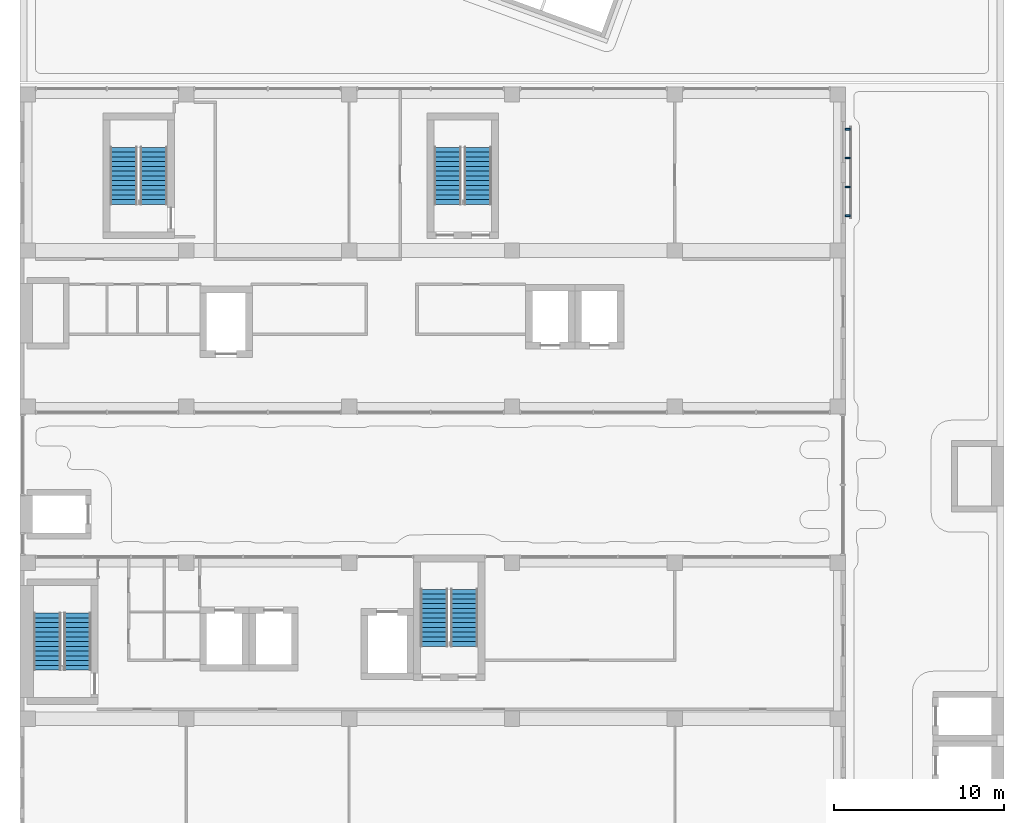
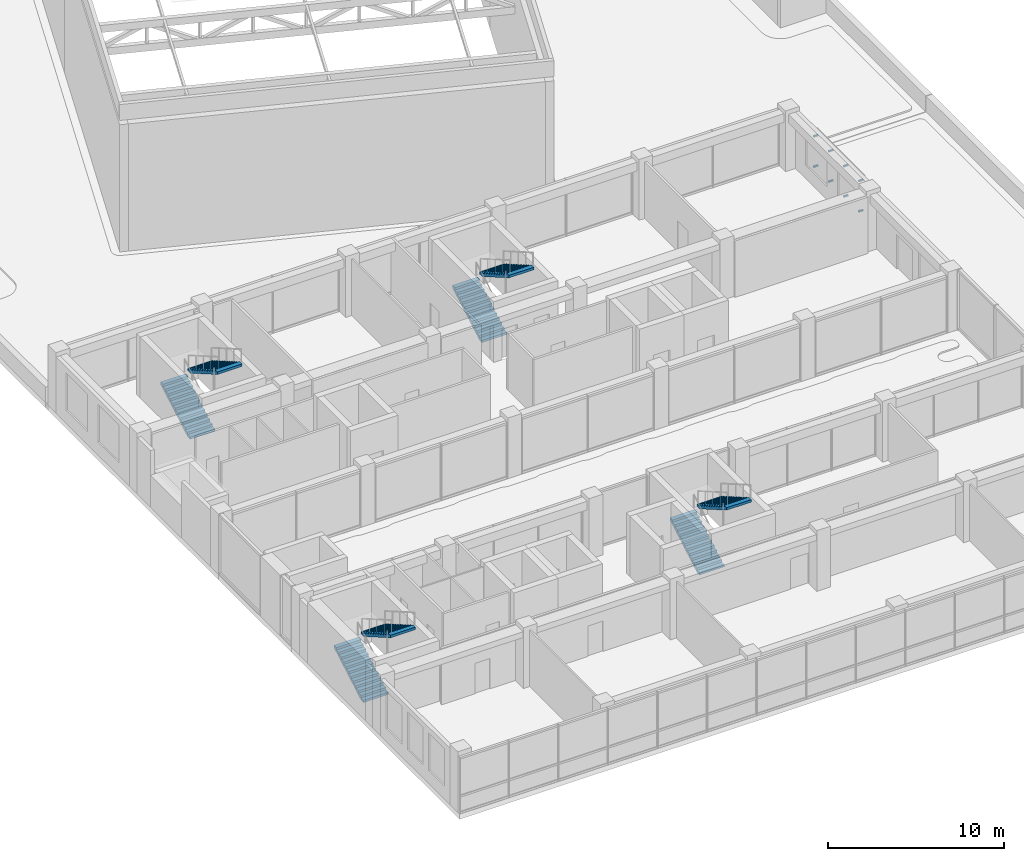
# One storey, part 65 of 72: 8 discrete accessories, 8 stair flights, 4 elements without a shape of their own.
"""IFC4 building model written with IfcOpenShell, lengths in metres."""

from ifc_helpers import new_model, si_unit, direction, frame, origin, origin_2d, place, context, subcontext, project, spatial, polyline, rectangle, outline, extrude, material, type_object, element, aggregate, save


model = new_model("IFC4")

# Units and contexts
model_context = context("Model", 3, precision=1e-05, world=origin(), true_north=direction((0.0, 1.0)))
body_context = subcontext(model_context, "Body", "Model", "MODEL_VIEW")
ifc_project = project(units=[si_unit("LENGTHUNIT", "METRE"), si_unit("AREAUNIT", "SQUARE_METRE"), si_unit("VOLUMEUNIT", "CUBIC_METRE"), si_unit("PLANEANGLEUNIT", "RADIAN"), si_unit("MASSUNIT", "GRAM", prefix="KILO")], contexts=[model_context])

# Site, building, storey
site_placement = place(None, origin())
site = spatial("IfcSite", under=ifc_project, at=site_placement, CompositionType="ELEMENT")
building_placement = place(site_placement, origin())
building = spatial("IfcBuilding", under=site, at=building_placement, Name="Nzadi Deep Aquarium and Research Tower", CompositionType="ELEMENT")
storey_placement = place(building_placement, frame((0.0, 0.0, 31.89990234375)))
storey = spatial("IfcBuildingStorey", under=building, at=storey_placement, Name="L05", CompositionType="ELEMENT", Elevation=31.89990234375)

# Stair, stair flights
ifc_material_1 = material(Name="Concrete C35/45", Category="concrete")
stair_type = type_object("IfcStairType", Name="STAIR RETURN 3000", PredefinedType="NOTDEFINED", material=ifc_material_1)
stair_1_placement = place(storey_placement, origin())
stair_1 = element("IfcStair", 1, at=stair_1_placement, inside=storey, type_object=stair_type, Name="Stair ST-Z1-SW L05", PredefinedType="HALF_TURN_STAIR")
ifc_material_2 = material(Name="Concrete C35/45", Category="concrete")
stair_flight_type = type_object("IfcStairFlightType", Name="FLIGHT 1625 13 RISERS 161.5 GOING 280", PredefinedType="STRAIGHT", material=ifc_material_2)
stair_flight_1_placement = place(storey_placement, frame((1.41259765625, 12.070068359375, 0.0), z_axis=(0.0, 0.0, 1.0), x_axis=(0.0, 1.0, 0.0)))
stair_flight_1 = element("IfcStairFlight", 2, at=stair_flight_1_placement, type_object=stair_flight_type, Name="ST-Z1-SW flight 1", NumberOfRisers=13, NumberOfTreads=12, PredefinedType="STRAIGHT", RiserHeight=0.161538462, TreadLength=0.28, context=body_context, shape_type="SweptSolid", body=[
    extrude(outline(polyline([(0.0, 0.0), (0.0, 0.16162109375), (0.280029296875, 0.16162109375), (0.280029296875, 0.322998046875), (0.56005859375, 0.322998046875), (0.56005859375, 0.484619140625), (0.840087890625, 0.484619140625), (0.840087890625, 0.646240234375), (1.1201171875, 0.646240234375), (1.1201171875, 0.8076171875), (1.39990234375, 0.8076171875), (1.39990234375, 0.96923828125), (1.679931640625, 0.96923828125), (1.679931640625, 1.130859375), (1.9599609375, 1.130859375), (1.9599609375, 1.292236328125), (2.239990234375, 1.292236328125), (2.239990234375, 1.453857421875), (2.52001953125, 1.453857421875), (2.52001953125, 1.615478515625), (2.800048828125, 1.615478515625), (2.800048828125, 1.77685546875), (3.080078125, 1.77685546875), (3.080078125, 1.9384765625), (3.360107421875, 1.9384765625), (3.360107421875, 2.10009765625), (3.360107421875, 1.765380859375), (0.300048828125, 0.0), (0.0, 0.0)])), frame((0.0, 0.8125, 0.0), z_axis=(0.0, -1.0, 0.0), x_axis=(1.0, 0.0, 0.0)), (0.0, 0.0, 1.0), 1.625),
])
stair_flight_2_placement = place(storey_placement, frame((3.1875, 15.429931640625, 2.10009765625), z_axis=(0.0, 0.0, 1.0), x_axis=(0.0, -1.0, 0.0)))
stair_flight_2 = element("IfcStairFlight", 3, at=stair_flight_2_placement, type_object=stair_flight_type, Name="ST-Z1-SW flight 2", NumberOfRisers=13, NumberOfTreads=12, PredefinedType="STRAIGHT", RiserHeight=0.161538462, TreadLength=0.28, context=body_context, shape_type="SweptSolid", body=[
    extrude(outline(polyline([(0.0, 0.0), (0.0, 0.16162109375), (0.280029296875, 0.16162109375), (0.280029296875, 0.322998046875), (0.56005859375, 0.322998046875), (0.56005859375, 0.484619140625), (0.840087890625, 0.484619140625), (0.840087890625, 0.646240234375), (1.1201171875, 0.646240234375), (1.1201171875, 0.8076171875), (1.39990234375, 0.8076171875), (1.39990234375, 0.96923828125), (1.679931640625, 0.96923828125), (1.679931640625, 1.130859375), (1.9599609375, 1.130859375), (1.9599609375, 1.292236328125), (2.239990234375, 1.292236328125), (2.239990234375, 1.453857421875), (2.52001953125, 1.453857421875), (2.52001953125, 1.615478515625), (2.800048828125, 1.615478515625), (2.800048828125, 1.77685546875), (3.080078125, 1.77685546875), (3.080078125, 1.9384765625), (3.360107421875, 1.9384765625), (3.360107421875, 2.10009765625), (3.360107421875, 1.765380859375), (0.300048828125, 0.0), (0.0, 0.0)])), frame((0.0, 0.8125, 0.0), z_axis=(0.0, -1.0, 0.0), x_axis=(1.0, 0.0, 0.0)), (0.0, 0.0, 1.0), 1.625),
])
aggregate(stair_1, [stair_flight_1, stair_flight_2])

stair_2_placement = place(storey_placement, origin())
stair_2 = element("IfcStair", 4, at=stair_2_placement, inside=storey, type_object=stair_type, Name="Stair ST-Z1-SE L05", PredefinedType="HALF_TURN_STAIR")
stair_flight_3_placement = place(storey_placement, frame((24.21240234375, 13.469970703125, 0.0), z_axis=(0.0, 0.0, 1.0), x_axis=(0.0, 1.0, 0.0)))
stair_flight_3 = element("IfcStairFlight", 5, at=stair_flight_3_placement, type_object=stair_flight_type, Name="ST-Z1-SE flight 1", NumberOfRisers=13, NumberOfTreads=12, PredefinedType="STRAIGHT", RiserHeight=0.161538462, TreadLength=0.28, context=body_context, shape_type="SweptSolid", body=[
    extrude(outline(polyline([(0.0, 0.0), (0.0, 0.16162109375), (0.280029296875, 0.16162109375), (0.280029296875, 0.322998046875), (0.56005859375, 0.322998046875), (0.56005859375, 0.484619140625), (0.840087890625, 0.484619140625), (0.840087890625, 0.646240234375), (1.1201171875, 0.646240234375), (1.1201171875, 0.8076171875), (1.39990234375, 0.8076171875), (1.39990234375, 0.96923828125), (1.679931640625, 0.96923828125), (1.679931640625, 1.130859375), (1.9599609375, 1.130859375), (1.9599609375, 1.292236328125), (2.239990234375, 1.292236328125), (2.239990234375, 1.453857421875), (2.52001953125, 1.453857421875), (2.52001953125, 1.615478515625), (2.800048828125, 1.615478515625), (2.800048828125, 1.77685546875), (3.080078125, 1.77685546875), (3.080078125, 1.9384765625), (3.360107421875, 1.9384765625), (3.360107421875, 2.10009765625), (3.360107421875, 1.765380859375), (0.300048828125, 0.0), (0.0, 0.0)])), frame((0.0, 0.8125, 0.0), z_axis=(0.0, -1.0, 0.0), x_axis=(1.0, 0.0, 0.0)), (0.0, 0.0, 1.0), 1.625),
])
stair_flight_4_placement = place(storey_placement, frame((25.987548828125, 16.830078125, 2.10009765625), z_axis=(0.0, 0.0, 1.0), x_axis=(0.0, -1.0, 0.0)))
stair_flight_4 = element("IfcStairFlight", 6, at=stair_flight_4_placement, type_object=stair_flight_type, Name="ST-Z1-SE flight 2", NumberOfRisers=13, NumberOfTreads=12, PredefinedType="STRAIGHT", RiserHeight=0.161538462, TreadLength=0.28, context=body_context, shape_type="SweptSolid", body=[
    extrude(outline(polyline([(0.0, 0.0), (0.0, 0.16162109375), (0.280029296875, 0.16162109375), (0.280029296875, 0.322998046875), (0.56005859375, 0.322998046875), (0.56005859375, 0.484619140625), (0.840087890625, 0.484619140625), (0.840087890625, 0.646240234375), (1.1201171875, 0.646240234375), (1.1201171875, 0.8076171875), (1.39990234375, 0.8076171875), (1.39990234375, 0.96923828125), (1.679931640625, 0.96923828125), (1.679931640625, 1.130859375), (1.9599609375, 1.130859375), (1.9599609375, 1.292236328125), (2.239990234375, 1.292236328125), (2.239990234375, 1.453857421875), (2.52001953125, 1.453857421875), (2.52001953125, 1.615478515625), (2.800048828125, 1.615478515625), (2.800048828125, 1.77685546875), (3.080078125, 1.77685546875), (3.080078125, 1.9384765625), (3.360107421875, 1.9384765625), (3.360107421875, 2.10009765625), (3.360107421875, 1.765380859375), (0.300048828125, 0.0), (0.0, 0.0)])), frame((0.0, 0.8125, 0.0), z_axis=(0.0, -1.0, 0.0), x_axis=(1.0, 0.0, 0.0)), (0.0, 0.0, 1.0), 1.625),
])
aggregate(stair_2, [stair_flight_3, stair_flight_4])

stair_3_placement = place(storey_placement, origin())
stair_3 = element("IfcStair", 7, at=stair_3_placement, inside=storey, type_object=stair_type, Name="Stair ST-Z1-NW L05", PredefinedType="HALF_TURN_STAIR")
stair_flight_5_placement = place(storey_placement, frame((5.91259765625, 39.52001953125, 0.0), z_axis=(0.0, 0.0, 1.0), x_axis=(0.0, 1.0, 0.0)))
stair_flight_5 = element("IfcStairFlight", 8, at=stair_flight_5_placement, type_object=stair_flight_type, Name="ST-Z1-NW flight 1", NumberOfRisers=13, NumberOfTreads=12, PredefinedType="STRAIGHT", RiserHeight=0.161538462, TreadLength=0.28, context=body_context, shape_type="SweptSolid", body=[
    extrude(outline(polyline([(0.0, 0.0), (0.0, 0.16162109375), (0.280029296875, 0.16162109375), (0.280029296875, 0.322998046875), (0.56005859375, 0.322998046875), (0.56005859375, 0.484619140625), (0.840087890625, 0.484619140625), (0.840087890625, 0.646240234375), (1.1201171875, 0.646240234375), (1.1201171875, 0.8076171875), (1.39990234375, 0.8076171875), (1.39990234375, 0.96923828125), (1.679931640625, 0.96923828125), (1.679931640625, 1.130859375), (1.9599609375, 1.130859375), (1.9599609375, 1.292236328125), (2.239990234375, 1.292236328125), (2.239990234375, 1.453857421875), (2.52001953125, 1.453857421875), (2.52001953125, 1.615478515625), (2.800048828125, 1.615478515625), (2.800048828125, 1.77685546875), (3.080078125, 1.77685546875), (3.080078125, 1.9384765625), (3.360107421875, 1.9384765625), (3.360107421875, 2.10009765625), (3.360107421875, 1.765380859375), (0.300048828125, 0.0), (0.0, 0.0)])), frame((0.0, 0.8125, 0.0), z_axis=(0.0, -1.0, 0.0), x_axis=(1.0, 0.0, 0.0)), (0.0, 0.0, 1.0), 1.625),
])
stair_flight_6_placement = place(storey_placement, frame((7.6875, 42.8798828125, 2.10009765625), z_axis=(0.0, 0.0, 1.0), x_axis=(0.0, -1.0, 0.0)))
stair_flight_6 = element("IfcStairFlight", 9, at=stair_flight_6_placement, type_object=stair_flight_type, Name="ST-Z1-NW flight 2", NumberOfRisers=13, NumberOfTreads=12, PredefinedType="STRAIGHT", RiserHeight=0.161538462, TreadLength=0.28, context=body_context, shape_type="SweptSolid", body=[
    extrude(outline(polyline([(0.0, 0.0), (0.0, 0.16162109375), (0.280029296875, 0.16162109375), (0.280029296875, 0.322998046875), (0.56005859375, 0.322998046875), (0.56005859375, 0.484619140625), (0.840087890625, 0.484619140625), (0.840087890625, 0.646240234375), (1.1201171875, 0.646240234375), (1.1201171875, 0.8076171875), (1.39990234375, 0.8076171875), (1.39990234375, 0.96923828125), (1.679931640625, 0.96923828125), (1.679931640625, 1.130859375), (1.9599609375, 1.130859375), (1.9599609375, 1.292236328125), (2.239990234375, 1.292236328125), (2.239990234375, 1.453857421875), (2.52001953125, 1.453857421875), (2.52001953125, 1.615478515625), (2.800048828125, 1.615478515625), (2.800048828125, 1.77685546875), (3.080078125, 1.77685546875), (3.080078125, 1.9384765625), (3.360107421875, 1.9384765625), (3.360107421875, 2.10009765625), (3.360107421875, 1.765380859375), (0.300048828125, 0.0), (0.0, 0.0)])), frame((0.0, 0.8125, 0.0), z_axis=(0.0, -1.0, 0.0), x_axis=(1.0, 0.0, 0.0)), (0.0, 0.0, 1.0), 1.625),
])
aggregate(stair_3, [stair_flight_5, stair_flight_6])

stair_4_placement = place(storey_placement, origin())
stair_4 = element("IfcStair", 10, at=stair_4_placement, inside=storey, type_object=stair_type, Name="Stair ST-Z1-NE L05", PredefinedType="HALF_TURN_STAIR")
stair_flight_7_placement = place(storey_placement, frame((25.012451171875, 39.52001953125, 0.0), z_axis=(0.0, 0.0, 1.0), x_axis=(0.0, 1.0, 0.0)))
stair_flight_7 = element("IfcStairFlight", 11, at=stair_flight_7_placement, type_object=stair_flight_type, Name="ST-Z1-NE flight 1", NumberOfRisers=13, NumberOfTreads=12, PredefinedType="STRAIGHT", RiserHeight=0.161538462, TreadLength=0.28, context=body_context, shape_type="SweptSolid", body=[
    extrude(outline(polyline([(0.0, 0.0), (0.0, 0.16162109375), (0.280029296875, 0.16162109375), (0.280029296875, 0.322998046875), (0.56005859375, 0.322998046875), (0.56005859375, 0.484619140625), (0.840087890625, 0.484619140625), (0.840087890625, 0.646240234375), (1.1201171875, 0.646240234375), (1.1201171875, 0.8076171875), (1.39990234375, 0.8076171875), (1.39990234375, 0.96923828125), (1.679931640625, 0.96923828125), (1.679931640625, 1.130859375), (1.9599609375, 1.130859375), (1.9599609375, 1.292236328125), (2.239990234375, 1.292236328125), (2.239990234375, 1.453857421875), (2.52001953125, 1.453857421875), (2.52001953125, 1.615478515625), (2.800048828125, 1.615478515625), (2.800048828125, 1.77685546875), (3.080078125, 1.77685546875), (3.080078125, 1.9384765625), (3.360107421875, 1.9384765625), (3.360107421875, 2.10009765625), (3.360107421875, 1.765380859375), (0.300048828125, 0.0), (0.0, 0.0)])), frame((0.0, 0.8125, 0.0), z_axis=(0.0, -1.0, 0.0), x_axis=(1.0, 0.0, 0.0)), (0.0, 0.0, 1.0), 1.625),
])
stair_flight_8_placement = place(storey_placement, frame((26.78759765625, 42.8798828125, 2.10009765625), z_axis=(0.0, 0.0, 1.0), x_axis=(0.0, -1.0, 0.0)))
stair_flight_8 = element("IfcStairFlight", 12, at=stair_flight_8_placement, type_object=stair_flight_type, Name="ST-Z1-NE flight 2", NumberOfRisers=13, NumberOfTreads=12, PredefinedType="STRAIGHT", RiserHeight=0.161538462, TreadLength=0.28, context=body_context, shape_type="SweptSolid", body=[
    extrude(outline(polyline([(0.0, 0.0), (0.0, 0.16162109375), (0.280029296875, 0.16162109375), (0.280029296875, 0.322998046875), (0.56005859375, 0.322998046875), (0.56005859375, 0.484619140625), (0.840087890625, 0.484619140625), (0.840087890625, 0.646240234375), (1.1201171875, 0.646240234375), (1.1201171875, 0.8076171875), (1.39990234375, 0.8076171875), (1.39990234375, 0.96923828125), (1.679931640625, 0.96923828125), (1.679931640625, 1.130859375), (1.9599609375, 1.130859375), (1.9599609375, 1.292236328125), (2.239990234375, 1.292236328125), (2.239990234375, 1.453857421875), (2.52001953125, 1.453857421875), (2.52001953125, 1.615478515625), (2.800048828125, 1.615478515625), (2.800048828125, 1.77685546875), (3.080078125, 1.77685546875), (3.080078125, 1.9384765625), (3.360107421875, 1.9384765625), (3.360107421875, 2.10009765625), (3.360107421875, 1.765380859375), (0.300048828125, 0.0), (0.0, 0.0)])), frame((0.0, 0.8125, 0.0), z_axis=(0.0, -1.0, 0.0), x_axis=(1.0, 0.0, 0.0)), (0.0, 0.0, 1.0), 1.625),
])
aggregate(stair_4, [stair_flight_7, stair_flight_8])

# Discrete accessories
for number, where, z_axis, x_axis, name in (
    (13, (48.60009765625, 38.85009765625, 0.949951171875), (0.0, 0.0, 1.0), (1.0, 0.0, 0.0), "Screen bracket L05"),
    (14, (48.60009765625, 38.85009765625, 3.050048828125), (0.0, 0.0, 1.0), (1.0, 0.0, 0.0), "Screen bracket L05"),
    (15, (48.60009765625, 40.550048828125, 0.949951171875), (0.0, 0.0, 1.0), (1.0, 0.0, 0.0), "Screen bracket L05"),
    (16, (48.60009765625, 40.550048828125, 3.050048828125), (0.0, 0.0, 1.0), (1.0, 0.0, 0.0), "Screen bracket L05"),
    (17, (48.60009765625, 42.25, 0.949951171875), (0.0, 0.0, 1.0), (1.0, 0.0, 0.0), "Screen bracket L05"),
    (18, (48.60009765625, 42.25, 3.050048828125), (0.0, 0.0, 1.0), (1.0, 0.0, 0.0), "Screen bracket L05"),
    (19, (48.60009765625, 43.949951171875, 0.949951171875), (0.0, 0.0, 1.0), (1.0, 0.0, 0.0), "Screen bracket L05"),
    (20, (48.60009765625, 43.949951171875, 3.050048828125), (0.0, 0.0, 1.0), (1.0, 0.0, 0.0), "Screen bracket L05"),
):
    element("IfcDiscreteAccessory", number, at=place(storey_placement, frame(where, z_axis=z_axis, x_axis=x_axis)), inside=storey, Name=name, PredefinedType="BRACKET", context=body_context, shape_type="SweptSolid", body=[
        extrude(rectangle(XDim=0.300048828125, YDim=0.10009765625, at=origin_2d()), origin(), (0.0, 0.0, 1.0), 0.10009765625),
    ])

save(model, "model.ifc")
